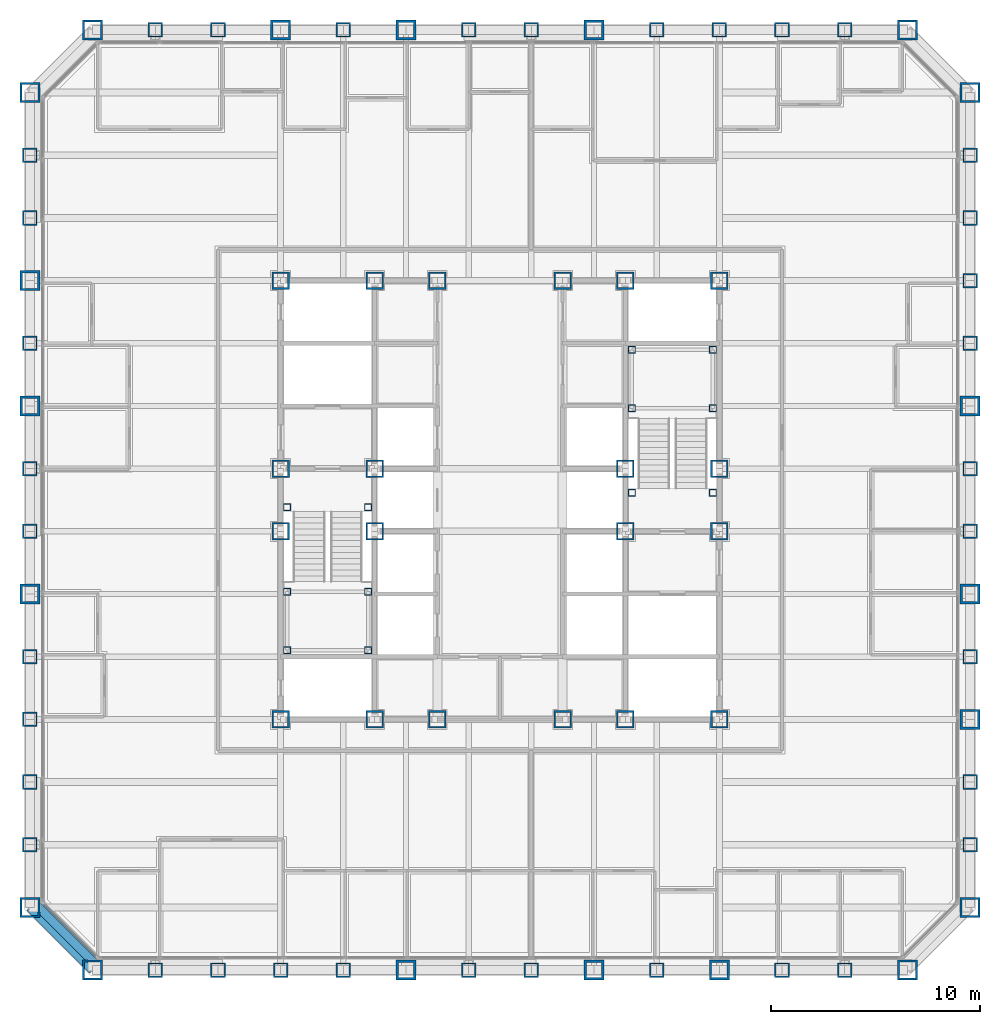
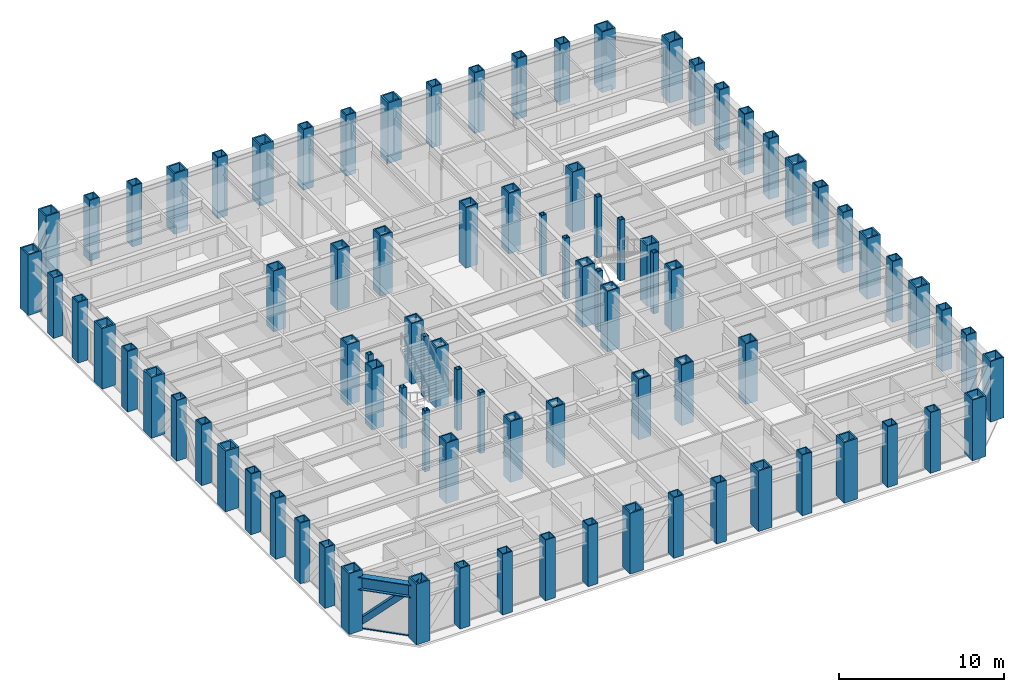
# One storey, part 1 of 16: 88 columns, 2 members, 1 beam, 1 element without a shape of its own.
"""IFC4 building model written with IfcOpenShell, lengths in metres."""

from ifc_helpers import new_model, si_unit, direction, frame, origin, origin_2d, place, context, subcontext, project, spatial, rectangle, hollow_rectangle, i_section, extrude, material, layer, layer_set, material_profile, profile_set, type_object, element, aggregate, save


model = new_model("IFC4")

# Units and contexts
model_context = context("Model", 3, precision=1e-05, world=origin(), true_north=direction((0.0, 1.0)))
body_context = subcontext(model_context, "Body", "Model", "MODEL_VIEW")
ifc_project = project(units=[si_unit("LENGTHUNIT", "METRE"), si_unit("AREAUNIT", "SQUARE_METRE"), si_unit("VOLUMEUNIT", "CUBIC_METRE"), si_unit("PLANEANGLEUNIT", "RADIAN"), si_unit("MASSUNIT", "GRAM", prefix="KILO")], contexts=[model_context])

# Site, building, storey
site_placement = place(None, origin())
site = spatial("IfcSite", under=ifc_project, at=site_placement, CompositionType="ELEMENT")
building_placement = place(site_placement, origin())
building = spatial("IfcBuilding", under=site, at=building_placement, Name="Chuquiago Exchange Tower", CompositionType="ELEMENT")
storey_placement = place(building_placement, frame((0.0, 0.0, 60.300048828125)))
storey = spatial("IfcBuildingStorey", under=building, at=storey_placement, Name="L12", CompositionType="ELEMENT", Elevation=60.300048828125)

# Columns
ifc_material_1 = material(Name="Steel ASTM A572 Grade 50", Category="steel")
ifc_material_profile_1 = material_profile(ifc_material_1, hollow_rectangle(XDim=0.699951171875, YDim=0.699951171875, WallThickness=0.070068359375, at=origin_2d()), Name="BOX700X700X70")
ifc_profile_set_1 = profile_set([ifc_material_profile_1], Name="Steel ASTM A572 Grade 50")
column_type_1 = type_object("IfcColumnType", Name="C2 BOX700X700X70", PredefinedType="COLUMN", material=ifc_profile_set_1)
for number, where, z_axis, x_axis, name in (
    (1, (6.0, 0.0, 0.0), (0.0, 0.0, 1.0), (0.0, -1.0, 0.0), "COL-L12-6_0"),
    (2, (9.0, 0.0, 0.0), (0.0, 0.0, 1.0), (0.0, -1.0, 0.0), "COL-L12-9_0"),
    (3, (12.0, 0.0, 0.0), (0.0, 0.0, 1.0), (0.0, -1.0, 0.0), "COL-L12-12_0"),
    (4, (15.0, 0.0, 0.0), (0.0, 0.0, 1.0), (0.0, -1.0, 0.0), "COL-L12-15_0"),
    (5, (21.0, 0.0, 0.0), (0.0, 0.0, 1.0), (0.0, -1.0, 0.0), "COL-L12-21_0"),
    (6, (24.0, 0.0, 0.0), (0.0, 0.0, 1.0), (0.0, -1.0, 0.0), "COL-L12-24_0"),
    (7, (30.0, 0.0, 0.0), (0.0, 0.0, 1.0), (0.0, -1.0, 0.0), "COL-L12-30_0"),
    (8, (36.0, 0.0, 0.0), (0.0, 0.0, 1.0), (0.0, -1.0, 0.0), "COL-L12-36_0"),
    (9, (39.0, 0.0, 0.0), (0.0, 0.0, 1.0), (0.0, -1.0, 0.0), "COL-L12-39_0"),
    (10, (45.0, 6.0, 0.0), (0.0, 0.0, 1.0), (1.0, 0.0, 0.0), "COL-L12-45_6"),
    (11, (45.0, 9.0, 0.0), (0.0, 0.0, 1.0), (1.0, 0.0, 0.0), "COL-L12-45_9"),
    (12, (45.0, 15.0, 0.0), (0.0, 0.0, 1.0), (1.0, 0.0, 0.0), "COL-L12-45_15"),
    (13, (45.0, 21.0, 0.0), (0.0, 0.0, 1.0), (1.0, 0.0, 0.0), "COL-L12-45_21"),
    (14, (45.0, 24.0, 0.0), (0.0, 0.0, 1.0), (1.0, 0.0, 0.0), "COL-L12-45_24"),
    (15, (45.0, 30.0, 0.0), (0.0, 0.0, 1.0), (1.0, 0.0, 0.0), "COL-L12-45_30"),
    (16, (45.0, 33.0, 0.0), (0.0, 0.0, 1.0), (1.0, 0.0, 0.0), "COL-L12-45_33"),
    (17, (45.0, 36.0, 0.0), (0.0, 0.0, 1.0), (1.0, 0.0, 0.0), "COL-L12-45_36"),
    (18, (45.0, 39.0, 0.0), (0.0, 0.0, 1.0), (1.0, 0.0, 0.0), "COL-L12-45_39"),
    (19, (39.0, 45.0, 0.0), (0.0, 0.0, 1.0), (0.0, 1.0, 0.0), "COL-L12-39_45"),
    (20, (36.0, 45.0, 0.0), (0.0, 0.0, 1.0), (0.0, 1.0, 0.0), "COL-L12-36_45"),
    (21, (33.0, 45.0, 0.0), (0.0, 0.0, 1.0), (0.0, 1.0, 0.0), "COL-L12-33_45"),
    (22, (30.0, 45.0, 0.0), (0.0, 0.0, 1.0), (0.0, 1.0, 0.0), "COL-L12-30_45"),
    (23, (24.0, 45.0, 0.0), (0.0, 0.0, 1.0), (0.0, 1.0, 0.0), "COL-L12-24_45"),
    (24, (21.0, 45.0, 0.0), (0.0, 0.0, 1.0), (0.0, 1.0, 0.0), "COL-L12-21_45"),
    (25, (15.0, 45.0, 0.0), (0.0, 0.0, 1.0), (0.0, 1.0, 0.0), "COL-L12-15_45"),
    (26, (9.0, 45.0, 0.0), (0.0, 0.0, 1.0), (0.0, 1.0, 0.0), "COL-L12-9_45"),
    (27, (6.0, 45.0, 0.0), (0.0, 0.0, 1.0), (0.0, 1.0, 0.0), "COL-L12-6_45"),
    (28, (0.0, 39.0, 0.0), (0.0, 0.0, 1.0), (-1.0, 0.0, 0.0), "COL-L12-0_39"),
    (29, (0.0, 36.0, 0.0), (0.0, 0.0, 1.0), (-1.0, 0.0, 0.0), "COL-L12-0_36"),
    (30, (0.0, 30.0, 0.0), (0.0, 0.0, 1.0), (-1.0, 0.0, 0.0), "COL-L12-0_30"),
    (31, (0.0, 24.0, 0.0), (0.0, 0.0, 1.0), (-1.0, 0.0, 0.0), "COL-L12-0_24"),
    (32, (0.0, 21.0, 0.0), (0.0, 0.0, 1.0), (-1.0, 0.0, 0.0), "COL-L12-0_21"),
    (33, (0.0, 15.0, 0.0), (0.0, 0.0, 1.0), (-1.0, 0.0, 0.0), "COL-L12-0_15"),
    (34, (0.0, 12.0, 0.0), (0.0, 0.0, 1.0), (-1.0, 0.0, 0.0), "COL-L12-0_12"),
    (35, (0.0, 9.0, 0.0), (0.0, 0.0, 1.0), (-1.0, 0.0, 0.0), "COL-L12-0_9"),
    (36, (0.0, 6.0, 0.0), (0.0, 0.0, 1.0), (-1.0, 0.0, 0.0), "COL-L12-0_6"),
):
    element("IfcColumn", number, at=place(storey_placement, frame(where, z_axis=z_axis, x_axis=x_axis)), inside=storey, type_object=column_type_1, Name=name, PredefinedType="COLUMN", context=body_context, shape_type="SweptSolid", body=[
        extrude(hollow_rectangle(XDim=0.699951171875, YDim=0.699951171875, WallThickness=0.070068359375, at=origin_2d()), origin(), (0.0, 0.0, 1.0), 4.5),
    ])
ifc_material_2 = material(Name="Steel ASTM A572 Grade 50", Category="steel")
ifc_material_profile_2 = material_profile(ifc_material_2, hollow_rectangle(XDim=0.85009765625, YDim=0.85009765625, WallThickness=0.0849609375, at=origin_2d()), Name="BOX850X850X85")
ifc_profile_set_2 = profile_set([ifc_material_profile_2], Name="Steel ASTM A572 Grade 50")
column_type_2 = type_object("IfcColumnType", Name="CC2 BOX850X850X85", PredefinedType="COLUMN", material=ifc_profile_set_2)
for number, where, z_axis, x_axis, name in (
    (37, (16.5, 12.0, 0.0), (0.0, 0.0, 1.0), (1.0, 0.0, 0.0), "CCOL-L12-16.5_12"),
    (38, (19.5, 12.0, 0.0), (0.0, 0.0, 1.0), (1.0, 0.0, 0.0), "CCOL-L12-19.5_12"),
    (39, (25.5, 12.0, 0.0), (0.0, 0.0, 1.0), (1.0, 0.0, 0.0), "CCOL-L12-25.5_12"),
    (40, (28.5, 12.0, 0.0), (0.0, 0.0, 1.0), (1.0, 0.0, 0.0), "CCOL-L12-28.5_12"),
    (41, (16.5, 33.0, 0.0), (0.0, 0.0, 1.0), (1.0, 0.0, 0.0), "CCOL-L12-16.5_33"),
    (42, (19.5, 33.0, 0.0), (0.0, 0.0, 1.0), (1.0, 0.0, 0.0), "CCOL-L12-19.5_33"),
    (43, (25.5, 33.0, 0.0), (0.0, 0.0, 1.0), (1.0, 0.0, 0.0), "CCOL-L12-25.5_33"),
    (44, (28.5, 33.0, 0.0), (0.0, 0.0, 1.0), (1.0, 0.0, 0.0), "CCOL-L12-28.5_33"),
    (45, (12.0, 21.0, 0.0), (0.0, 0.0, 1.0), (1.0, 0.0, 0.0), "CCOL-L12-12_21"),
    (46, (12.0, 24.0, 0.0), (0.0, 0.0, 1.0), (1.0, 0.0, 0.0), "CCOL-L12-12_24"),
    (47, (33.0, 21.0, 0.0), (0.0, 0.0, 1.0), (1.0, 0.0, 0.0), "CCOL-L12-33_21"),
    (48, (33.0, 24.0, 0.0), (0.0, 0.0, 1.0), (1.0, 0.0, 0.0), "CCOL-L12-33_24"),
    (49, (16.5, 21.0, 0.0), (0.0, 0.0, 1.0), (1.0, 0.0, 0.0), "CCOL-L12-16.5_21"),
    (50, (16.5, 24.0, 0.0), (0.0, 0.0, 1.0), (1.0, 0.0, 0.0), "CCOL-L12-16.5_24"),
    (51, (28.5, 21.0, 0.0), (0.0, 0.0, 1.0), (1.0, 0.0, 0.0), "CCOL-L12-28.5_21"),
    (52, (28.5, 24.0, 0.0), (0.0, 0.0, 1.0), (1.0, 0.0, 0.0), "CCOL-L12-28.5_24"),
):
    element("IfcColumn", number, at=place(storey_placement, frame(where, z_axis=z_axis, x_axis=x_axis)), inside=storey, type_object=column_type_2, Name=name, PredefinedType="COLUMN", context=body_context, shape_type="SweptSolid", body=[
        extrude(hollow_rectangle(XDim=0.85009765625, YDim=0.85009765625, WallThickness=0.0849609375, at=origin_2d()), origin(), (0.0, 0.0, 1.0), 4.5),
    ])
ifc_material_3 = material(Name="Steel ASTM A572 Grade 50", Category="steel")
ifc_material_profile_3 = material_profile(ifc_material_3, hollow_rectangle(XDim=0.85009765625, YDim=0.85009765625, WallThickness=0.0849609375, at=origin_2d()), Name="BOX850X850X85")
ifc_profile_set_3 = profile_set([ifc_material_profile_3], Name="Steel ASTM A572 Grade 50")
column_type_3 = type_object("IfcColumnType", Name="CC6 BOX850X850X85", PredefinedType="COLUMN", material=ifc_profile_set_3)
for number, where, z_axis, x_axis, name in (
    (53, (12.0, 12.0, 0.0), (0.0, 0.0, 1.0), (1.0, 0.0, 0.0), "CCOL-L12-12_12"),
    (54, (33.0, 12.0, 0.0), (0.0, 0.0, 1.0), (1.0, 0.0, 0.0), "CCOL-L12-33_12"),
    (55, (12.0, 33.0, 0.0), (0.0, 0.0, 1.0), (1.0, 0.0, 0.0), "CCOL-L12-12_33"),
    (56, (33.0, 33.0, 0.0), (0.0, 0.0, 1.0), (1.0, 0.0, 0.0), "CCOL-L12-33_33"),
):
    element("IfcColumn", number, at=place(storey_placement, frame(where, z_axis=z_axis, x_axis=x_axis)), inside=storey, type_object=column_type_3, Name=name, PredefinedType="COLUMN", context=body_context, shape_type="SweptSolid", body=[
        extrude(hollow_rectangle(XDim=0.85009765625, YDim=0.85009765625, WallThickness=0.0849609375, at=origin_2d()), origin(), (0.0, 0.0, 1.0), 4.5),
    ])
ifc_material_4 = material(Name="Steel ASTM A572 Grade 50", Category="steel")
ifc_material_profile_4 = material_profile(ifc_material_4, hollow_rectangle(XDim=0.949951171875, YDim=0.949951171875, WallThickness=0.094970703125, at=origin_2d()), Name="BOX950X950X95")
ifc_profile_set_4 = profile_set([ifc_material_profile_4], Name="Steel ASTM A572 Grade 50")
column_type_4 = type_object("IfcColumnType", Name="CN1 BOX950X950X95", PredefinedType="COLUMN", material=ifc_profile_set_4)
for number, where, z_axis, x_axis, name in (
    (57, (3.0, 0.0, 0.0), (0.0, 0.0, 1.0), (0.0, -1.0, 0.0), "COL-L12-3_0"),
    (58, (42.0, 0.0, 0.0), (0.0, 0.0, 1.0), (0.0, -1.0, 0.0), "COL-L12-42_0"),
    (59, (45.0, 3.0, 0.0), (0.0, 0.0, 1.0), (1.0, 0.0, 0.0), "COL-L12-45_3"),
    (60, (45.0, 42.0, 0.0), (0.0, 0.0, 1.0), (1.0, 0.0, 0.0), "COL-L12-45_42"),
    (61, (42.0, 45.0, 0.0), (0.0, 0.0, 1.0), (0.0, 1.0, 0.0), "COL-L12-42_45"),
    (62, (3.0, 45.0, 0.0), (0.0, 0.0, 1.0), (0.0, 1.0, 0.0), "COL-L12-3_45"),
    (63, (0.0, 42.0, 0.0), (0.0, 0.0, 1.0), (-1.0, 0.0, 0.0), "COL-L12-0_42"),
    (64, (0.0, 3.0, 0.0), (0.0, 0.0, 1.0), (-1.0, 0.0, 0.0), "COL-L12-0_3"),
):
    element("IfcColumn", number, at=place(storey_placement, frame(where, z_axis=z_axis, x_axis=x_axis)), inside=storey, type_object=column_type_4, Name=name, PredefinedType="COLUMN", context=body_context, shape_type="SweptSolid", body=[
        extrude(hollow_rectangle(XDim=0.949951171875, YDim=0.949951171875, WallThickness=0.094970703125, at=origin_2d()), origin(), (0.0, 0.0, 1.0), 4.5),
    ])
ifc_material_5 = material(Name="Steel ASTM A572 Grade 42", Category="steel")
ifc_material_profile_5 = material_profile(ifc_material_5, hollow_rectangle(XDim=0.949951171875, YDim=0.949951171875, WallThickness=0.110107421875, at=origin_2d()), Name="BOX950X950X110")
ifc_profile_set_5 = profile_set([ifc_material_profile_5], Name="Steel ASTM A572 Grade 42")
column_type_5 = type_object("IfcColumnType", Name="CT1 BOX950X950X110", PredefinedType="COLUMN", material=ifc_profile_set_5)
for number, where, z_axis, x_axis, name in (
    (65, (18.0, 0.0, 0.0), (0.0, 0.0, 1.0), (0.0, -1.0, 0.0), "COL-L12-18_0"),
    (66, (27.0, 0.0, 0.0), (0.0, 0.0, 1.0), (0.0, -1.0, 0.0), "COL-L12-27_0"),
    (67, (33.0, 0.0, 0.0), (0.0, 0.0, 1.0), (0.0, -1.0, 0.0), "COL-L12-33_0"),
    (68, (45.0, 12.0, 0.0), (0.0, 0.0, 1.0), (1.0, 0.0, 0.0), "COL-L12-45_12"),
    (69, (45.0, 18.0, 0.0), (0.0, 0.0, 1.0), (1.0, 0.0, 0.0), "COL-L12-45_18"),
    (70, (45.0, 27.0, 0.0), (0.0, 0.0, 1.0), (1.0, 0.0, 0.0), "COL-L12-45_27"),
    (71, (27.0, 45.0, 0.0), (0.0, 0.0, 1.0), (0.0, 1.0, 0.0), "COL-L12-27_45"),
    (72, (18.0, 45.0, 0.0), (0.0, 0.0, 1.0), (0.0, 1.0, 0.0), "COL-L12-18_45"),
    (73, (12.0, 45.0, 0.0), (0.0, 0.0, 1.0), (0.0, 1.0, 0.0), "COL-L12-12_45"),
    (74, (0.0, 33.0, 0.0), (0.0, 0.0, 1.0), (-1.0, 0.0, 0.0), "COL-L12-0_33"),
    (75, (0.0, 27.0, 0.0), (0.0, 0.0, 1.0), (-1.0, 0.0, 0.0), "COL-L12-0_27"),
    (76, (0.0, 18.0, 0.0), (0.0, 0.0, 1.0), (-1.0, 0.0, 0.0), "COL-L12-0_18"),
):
    element("IfcColumn", number, at=place(storey_placement, frame(where, z_axis=z_axis, x_axis=x_axis)), inside=storey, type_object=column_type_5, Name=name, PredefinedType="COLUMN", context=body_context, shape_type="SweptSolid", body=[
        extrude(hollow_rectangle(XDim=0.949951171875, YDim=0.949951171875, WallThickness=0.110107421875, at=origin_2d()), origin(), (0.0, 0.0, 1.0), 4.5),
    ])
ifc_material_6 = material(Name="Steel ASTM A572 Grade 50", Category="steel")
ifc_material_profile_6 = material_profile(ifc_material_6, hollow_rectangle(XDim=0.35009765625, YDim=0.35009765625, WallThickness=0.034912109375, at=origin_2d()), Name="BOX350X350X35")
ifc_profile_set_6 = profile_set([ifc_material_profile_6], Name="Steel ASTM A572 Grade 50")
column_type_6 = type_object("IfcColumnType", Name="PT3 BOX350X350X35", PredefinedType="COLUMN", material=ifc_profile_set_6)
for number, where, z_axis, x_axis, name in (
    (77, (12.31005859375, 15.31005859375, 0.0), (0.0, 0.0, 1.0), (1.0, 0.0, 0.0), "Stair ST1 L12 landing post"),
    (78, (16.18994140625, 15.31005859375, 0.0), (0.0, 0.0, 1.0), (1.0, 0.0, 0.0), "Stair ST1 L12 landing post"),
    (79, (12.31005859375, 18.110107421875, 0.0), (0.0, 0.0, 1.0), (1.0, 0.0, 0.0), "Stair ST1 L12 landing post"),
    (80, (16.18994140625, 18.110107421875, 0.0), (0.0, 0.0, 1.0), (1.0, 0.0, 0.0), "Stair ST1 L12 landing post"),
    (81, (12.31005859375, 22.14990234375, 0.0), (0.0, 0.0, 1.0), (1.0, 0.0, 0.0), "Stair ST1 L12 landing post"),
    (82, (16.18994140625, 22.14990234375, 0.0), (0.0, 0.0, 1.0), (1.0, 0.0, 0.0), "Stair ST1 L12 landing post"),
    (83, (28.81005859375, 29.68994140625, 0.0), (0.0, 0.0, 1.0), (1.0, 0.0, 0.0), "Stair ST2 L12 landing post"),
    (84, (32.68994140625, 29.68994140625, 0.0), (0.0, 0.0, 1.0), (1.0, 0.0, 0.0), "Stair ST2 L12 landing post"),
    (85, (28.81005859375, 26.889892578125, 0.0), (0.0, 0.0, 1.0), (1.0, 0.0, 0.0), "Stair ST2 L12 landing post"),
    (86, (32.68994140625, 26.889892578125, 0.0), (0.0, 0.0, 1.0), (1.0, 0.0, 0.0), "Stair ST2 L12 landing post"),
    (87, (28.81005859375, 22.85009765625, 0.0), (0.0, 0.0, 1.0), (1.0, 0.0, 0.0), "Stair ST2 L12 landing post"),
    (88, (32.68994140625, 22.85009765625, 0.0), (0.0, 0.0, 1.0), (1.0, 0.0, 0.0), "Stair ST2 L12 landing post"),
):
    element("IfcColumn", number, at=place(storey_placement, frame(where, z_axis=z_axis, x_axis=x_axis)), inside=storey, type_object=column_type_6, Name=name, PredefinedType="COLUMN", context=body_context, shape_type="SweptSolid", body=[
        extrude(hollow_rectangle(XDim=0.35009765625, YDim=0.35009765625, WallThickness=0.034912109375, at=origin_2d()), origin(), (0.0, 0.0, 1.0), 4.5),
    ])

# Curtain wall, member
ifc_material_7 = material(Name="Aluminium curtain wall system", Category="aluminium")
ifc_layer = layer(ifc_material_7, 0.199951171875)
ifc_layer_set = layer_set([ifc_layer], Name="CW3 facet curtain wall")
curtain_wall_type = type_object("IfcCurtainWallType", Name="CW3 facet curtain wall", PredefinedType="NOTDEFINED", material=ifc_layer_set)
curtain_wall_placement = place(storey_placement, origin())
curtain_wall = element("IfcCurtainWall", 89, at=curtain_wall_placement, inside=storey, type_object=curtain_wall_type, Name="CW3 curtain wall L12", PredefinedType="NOTDEFINED")
ifc_material_8 = material(Name="Aluminium transom, pale anodised", Category="aluminium")
ifc_material_profile_7 = material_profile(ifc_material_8, rectangle(XDim=0.139892578125, YDim=0.06494140625, at=origin_2d()), Name="AL 140x65")
ifc_profile_set_7 = profile_set([ifc_material_profile_7], Name="Aluminium transom, pale anodised")
member_type_1 = type_object("IfcMemberType", Name="CW3-T transom 65x140", PredefinedType="MULLION", material=ifc_profile_set_7)
member_1_placement = place(storey_placement, frame((0.64599609375, 3.20263671875, -0.267578125), z_axis=(0.707106781187, -0.707106781187, 0.0), x_axis=(0.707106781187, 0.707106781187, 0.0)))
member_1 = element("IfcMember", 90, at=member_1_placement, type_object=member_type_1, Name="CW3 transom 1.1", PredefinedType="MULLION", context=body_context, shape_type="SweptSolid", body=[
    extrude(rectangle(XDim=0.139892578125, YDim=0.06494140625, at=origin_2d()), origin(), (0.0, 0.0, 1.0), 3.61572265625),
])
aggregate(curtain_wall, [member_1])

# Member
ifc_material_9 = material(Name="Steel ASTM A500 Grade C", Category="steel")
ifc_material_profile_8 = material_profile(ifc_material_9, hollow_rectangle(XDim=0.406494140625, YDim=0.406494140625, WallThickness=0.0146484375, at=origin_2d()), Name="HSS16X16X5/8")
ifc_profile_set_8 = profile_set([ifc_material_profile_8], Name="Steel ASTM A500 Grade C")
member_type_2 = type_object("IfcMemberType", Name="LB4 HSS16X16X5/8", PredefinedType="BRACE", material=ifc_profile_set_8)
member_2_placement = place(storey_placement, frame((0.21337890625, 3.21337890625, 0.0), z_axis=(0.512077265487, -0.512077265487, 0.689604051861), x_axis=(0.707106781187, 0.707106781187, 0.0)))
element("IfcMember", 91, at=member_2_placement, inside=storey, type_object=member_type_2, Name="LB-L12-0_3-3_0", PredefinedType="BRACE", context=body_context, shape_type="SweptSolid", body=[
    extrude(hollow_rectangle(XDim=0.406494140625, YDim=0.406494140625, WallThickness=0.0146484375, at=origin_2d()), origin(), (0.0, 0.0, 1.0), 5.8583984375),
])

# Beam
ifc_material_10 = material(Name="Steel ASTM A992", Category="steel")
ifc_material_profile_9 = material_profile(ifc_material_10, i_section(OverallWidth=0.424072265625, OverallDepth=0.947509765625, WebThickness=0.02392578125, FlangeThickness=0.042724609375, at=origin_2d()), Name="W36X302")
ifc_profile_set_9 = profile_set([ifc_material_profile_9], Name="Steel ASTM A992")
beam_type = type_object("IfcBeamType", Name="SP1 W36X302", PredefinedType="SPANDREL", material=ifc_profile_set_9)
beam_placement = place(storey_placement, frame((0.0, 3.0, 3.566162109375), z_axis=(0.707106781187, -0.707106781187, 0.0), x_axis=(0.707106781187, 0.707106781187, 0.0)))
element("IfcBeam", 92, at=beam_placement, inside=storey, type_object=beam_type, Name="SPB-L13-0_3-3_0", PredefinedType="SPANDREL", context=body_context, shape_type="SweptSolid", body=[
    extrude(i_section(OverallWidth=0.424072265625, OverallDepth=0.947509765625, WebThickness=0.02392578125, FlangeThickness=0.042724609375, at=origin_2d()), origin(), (0.0, 0.0, 1.0), 4.24267578125),
])

save(model, "model.ifc")
